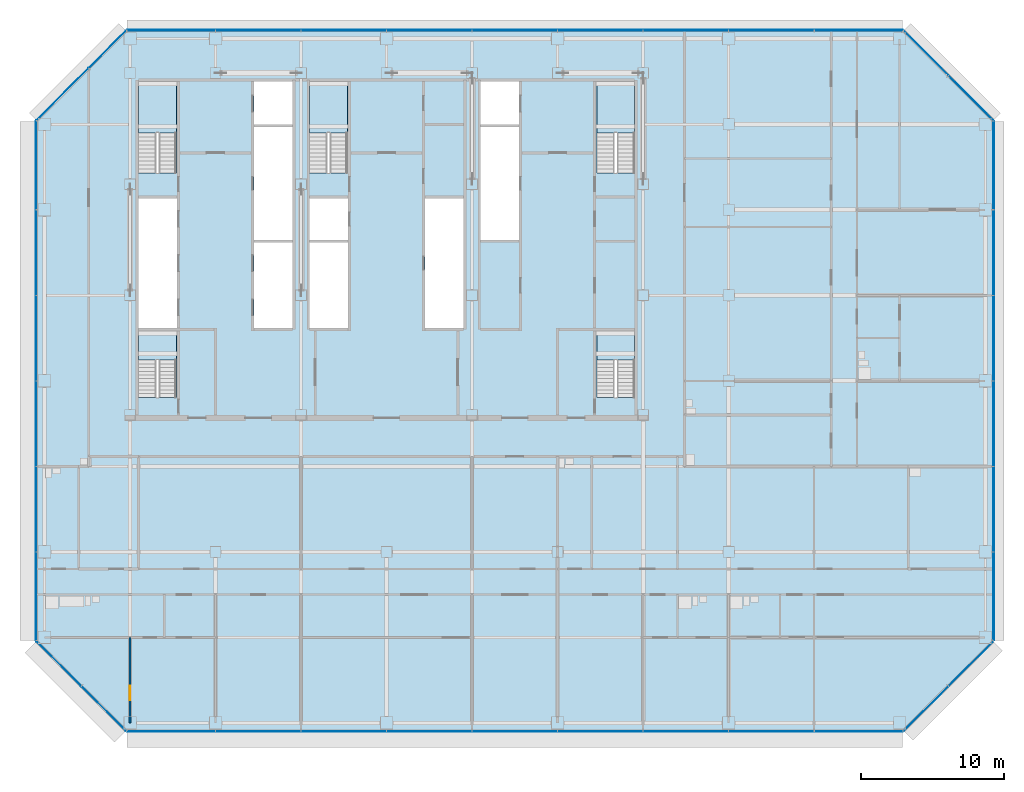
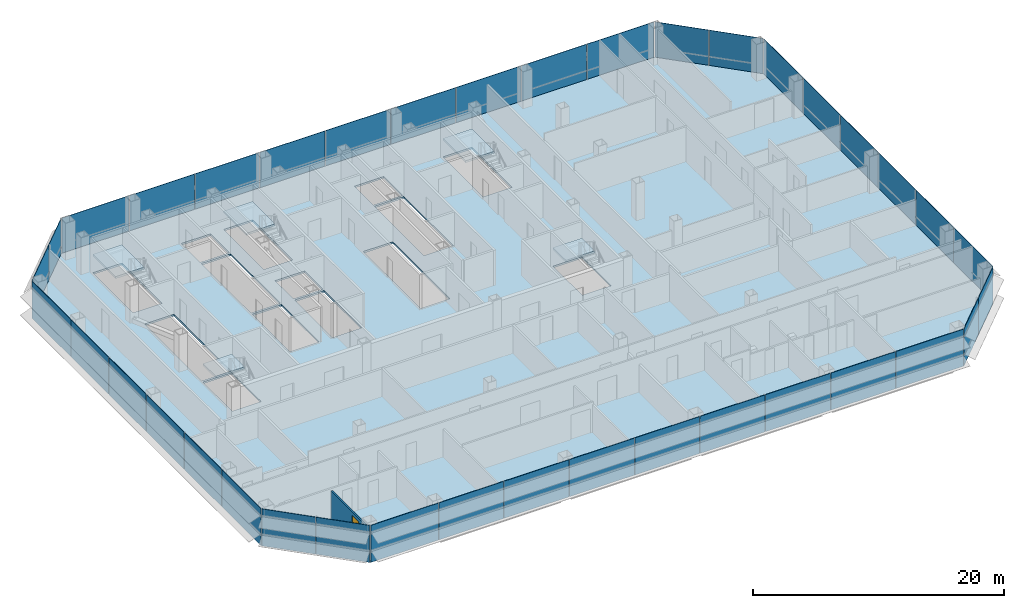
# One storey, part 19 of 27: 38 plates, 6 slabs, 1 door, 1 wall, 1 opening, 13 elements without a shape of their own.
"""IFC4 building model written with IfcOpenShell, lengths in metres."""

from ifc_helpers import new_model, si_unit, direction, frame, frame_2d, origin, origin_2d, place, context, subcontext, project, spatial, polyline, rectangle, outline, extrude, material, layer, layer_set, type_object, element, fill, aggregate, save


model = new_model("IFC4")

# Units and contexts
model_context = context("Model", 3, precision=1e-05, world=origin(), true_north=direction((0.0, 1.0)))
body_context = subcontext(model_context, "Body", "Model", "MODEL_VIEW")
ifc_project = project(units=[si_unit("LENGTHUNIT", "METRE"), si_unit("AREAUNIT", "SQUARE_METRE"), si_unit("VOLUMEUNIT", "CUBIC_METRE"), si_unit("PLANEANGLEUNIT", "RADIAN"), si_unit("MASSUNIT", "GRAM", prefix="KILO")], contexts=[model_context])

# Site, building, storey
site_placement = place(None, origin())
site = spatial("IfcSite", under=ifc_project, at=site_placement, CompositionType="ELEMENT")
building_placement = place(site_placement, origin())
building = spatial("IfcBuilding", under=site, at=building_placement, Name="Sorahane Residences", CompositionType="ELEMENT")
storey_placement = place(building_placement, frame((0.0, 0.0, 53.39990234375)))
storey = spatial("IfcBuildingStorey", under=building, at=storey_placement, Name="L09", CompositionType="ELEMENT", Elevation=53.39990234375)

# Slab
ifc_material_1 = material(Name="Concrete C35", Category="concrete")
ifc_layer_1 = layer(ifc_material_1, 0.179931640625)
ifc_layer_set_1 = layer_set([ifc_layer_1], Name="Composite floor slab 180 mm Concrete C35")
slab_type_1 = type_object("IfcSlabType", Name="Composite floor slab 180 mm Concrete C35", PredefinedType="FLOOR", material=ifc_layer_set_1)
slab_1_placement = place(storey_placement, frame((0.0, 0.0, -0.179931640625)))
element("IfcSlab", 1, at=slab_1_placement, inside=storey, type_object=slab_type_1, Name="Slab L09", PredefinedType="FLOOR", context=body_context, shape_type="SweptSolid", body=[
    extrude(outline(polyline([(5.75146484375, -0.60009765625), (-0.60009765625, 5.75146484375), (-0.60009765625, 42.24853515625), (5.75146484375, 48.60009765625), (60.24853515625, 48.60009765625), (66.60009765625, 42.24853515625), (66.60009765625, 5.75146484375), (60.24853515625, -0.60009765625), (5.75146484375, -0.60009765625)]), holes=[polyline([(18.60009765625, 27.699951171875), (21.300048828125, 27.699951171875), (21.300048828125, 33.699951171875), (18.60009765625, 33.699951171875), (18.60009765625, 27.699951171875)]), polyline([(30.60009765625, 42.0), (33.300048828125, 42.0), (33.300048828125, 45.0), (30.60009765625, 45.0), (30.60009765625, 42.0)]), polyline([(14.699951171875, 27.699951171875), (17.39990234375, 27.699951171875), (17.39990234375, 33.699951171875), (14.699951171875, 33.699951171875), (14.699951171875, 27.699951171875)]), polyline([(14.699951171875, 42.0), (17.39990234375, 42.0), (17.39990234375, 45.0), (14.699951171875, 45.0), (14.699951171875, 42.0)]), polyline([(6.60009765625, 27.699951171875), (9.300048828125, 27.699951171875), (9.300048828125, 36.800048828125), (6.60009765625, 36.800048828125), (6.60009765625, 27.699951171875)]), polyline([(9.25, 38.60009765625), (9.25, 45.0), (6.60009765625, 45.0), (6.60009765625, 38.60009765625), (9.25, 38.60009765625)]), polyline([(41.39990234375, 38.60009765625), (41.39990234375, 45.0), (38.75, 45.0), (38.75, 38.60009765625), (41.39990234375, 38.60009765625)]), polyline([(21.25, 38.60009765625), (21.25, 45.0), (18.60009765625, 45.0), (18.60009765625, 38.60009765625), (21.25, 38.60009765625)]), polyline([(9.25, 22.85009765625), (9.25, 27.5), (6.60009765625, 27.5), (6.60009765625, 22.85009765625), (9.25, 22.85009765625)]), polyline([(41.39990234375, 22.85009765625), (41.39990234375, 27.5), (38.75, 27.5), (38.75, 22.85009765625), (41.39990234375, 22.85009765625)]), polyline([(14.699951171875, 33.89990234375), (17.39990234375, 33.89990234375), (17.39990234375, 41.800048828125), (14.699951171875, 41.800048828125), (14.699951171875, 33.89990234375)]), polyline([(30.60009765625, 33.89990234375), (33.300048828125, 33.89990234375), (33.300048828125, 41.800048828125), (30.60009765625, 41.800048828125), (30.60009765625, 33.89990234375)]), polyline([(18.60009765625, 33.89990234375), (21.300048828125, 33.89990234375), (21.300048828125, 36.800048828125), (18.60009765625, 36.800048828125), (18.60009765625, 33.89990234375)]), polyline([(26.699951171875, 27.699951171875), (29.39990234375, 27.699951171875), (29.39990234375, 36.800048828125), (26.699951171875, 36.800048828125), (26.699951171875, 27.699951171875)])]), origin(), (0.0, 0.0, 1.0), 0.179931640625),
])

# Curtain wall, plates
ifc_material_2 = material(Name="Dark low-e glass and black anodised aluminium", Category="aluminium")
curtain_wall_type_1 = type_object("IfcCurtainWallType", Name="Curtain wall CW-1 Typical unitised wall", PredefinedType="NOTDEFINED", material=ifc_material_2)
curtain_wall_1_placement = place(storey_placement, origin())
curtain_wall_1 = element("IfcCurtainWall", 2, at=curtain_wall_1_placement, inside=storey, type_object=curtain_wall_type_1, Name="CW-1 curtain wall L09 S1", PredefinedType="NOTDEFINED")
ifc_material_3 = material(Name="Dark low-e glass with black ceramic frit", Category="glass")
ifc_layer_2 = layer(ifc_material_3, 0.0400390625)
ifc_layer_set_2 = layer_set([ifc_layer_2], Name="Curtain wall glass panel dark low-e with black frit spandrel band")
plate_type = type_object("IfcPlateType", Name="Curtain wall glass panel dark low-e with black frit spandrel band", PredefinedType="CURTAIN_PANEL", material=ifc_layer_set_2)
plate_1_placement = place(storey_placement, frame((8.88818359375, -0.60009765625, -0.179931640625), z_axis=(0.0, 0.0, 1.0), x_axis=(1.0, 0.0, 0.0)))
plate_1 = element("IfcPlate", 3, at=plate_1_placement, type_object=plate_type, Name="CW-1 glass panel L09 S1.1", PredefinedType="CURTAIN_PANEL", context=body_context, shape_type="SweptSolid", body=[
    extrude(rectangle(XDim=6.173583984375, YDim=0.0400390625, at=origin_2d()), origin(), (0.0, 0.0, 1.0), 3.60009765625),
])
plate_2_placement = place(storey_placement, frame((15.0, -0.60009765625, -0.179931640625), z_axis=(0.0, 0.0, 1.0), x_axis=(1.0, 0.0, 0.0)))
plate_2 = element("IfcPlate", 4, at=plate_2_placement, type_object=plate_type, Name="CW-1 glass panel L09 S1.2", PredefinedType="CURTAIN_PANEL", context=body_context, shape_type="SweptSolid", body=[
    extrude(rectangle(XDim=5.949951171875, YDim=0.0400390625, at=origin_2d()), origin(), (0.0, 0.0, 1.0), 3.60009765625),
])
plate_3_placement = place(storey_placement, frame((21.0, -0.60009765625, -0.179931640625), z_axis=(0.0, 0.0, 1.0), x_axis=(1.0, 0.0, 0.0)))
plate_3 = element("IfcPlate", 5, at=plate_3_placement, type_object=plate_type, Name="CW-1 glass panel L09 S1.3", PredefinedType="CURTAIN_PANEL", context=body_context, shape_type="SweptSolid", body=[
    extrude(rectangle(XDim=5.949951171875, YDim=0.0400390625, at=origin_2d()), origin(), (0.0, 0.0, 1.0), 3.60009765625),
])
plate_4_placement = place(storey_placement, frame((27.0, -0.60009765625, -0.179931640625), z_axis=(0.0, 0.0, 1.0), x_axis=(1.0, 0.0, 0.0)))
plate_4 = element("IfcPlate", 6, at=plate_4_placement, type_object=plate_type, Name="CW-1 glass panel L09 S1.4", PredefinedType="CURTAIN_PANEL", context=body_context, shape_type="SweptSolid", body=[
    extrude(rectangle(XDim=5.949951171875, YDim=0.0400390625, at=origin_2d()), origin(), (0.0, 0.0, 1.0), 3.60009765625),
])
plate_5_placement = place(storey_placement, frame((33.0, -0.60009765625, -0.179931640625), z_axis=(0.0, 0.0, 1.0), x_axis=(1.0, 0.0, 0.0)))
plate_5 = element("IfcPlate", 7, at=plate_5_placement, type_object=plate_type, Name="CW-1 glass panel L09 S1.5", PredefinedType="CURTAIN_PANEL", context=body_context, shape_type="SweptSolid", body=[
    extrude(rectangle(XDim=5.949951171875, YDim=0.0400390625, at=origin_2d()), origin(), (0.0, 0.0, 1.0), 3.60009765625),
])
plate_6_placement = place(storey_placement, frame((39.0, -0.60009765625, -0.179931640625), z_axis=(0.0, 0.0, 1.0), x_axis=(1.0, 0.0, 0.0)))
plate_6 = element("IfcPlate", 8, at=plate_6_placement, type_object=plate_type, Name="CW-1 glass panel L09 S1.6", PredefinedType="CURTAIN_PANEL", context=body_context, shape_type="SweptSolid", body=[
    extrude(rectangle(XDim=5.949951171875, YDim=0.0400390625, at=origin_2d()), origin(), (0.0, 0.0, 1.0), 3.60009765625),
])
plate_7_placement = place(storey_placement, frame((45.0, -0.60009765625, -0.179931640625), z_axis=(0.0, 0.0, 1.0), x_axis=(1.0, 0.0, 0.0)))
plate_7 = element("IfcPlate", 9, at=plate_7_placement, type_object=plate_type, Name="CW-1 glass panel L09 S1.7", PredefinedType="CURTAIN_PANEL", context=body_context, shape_type="SweptSolid", body=[
    extrude(rectangle(XDim=5.949951171875, YDim=0.0400390625, at=origin_2d()), origin(), (0.0, 0.0, 1.0), 3.60009765625),
])
plate_8_placement = place(storey_placement, frame((51.0, -0.60009765625, -0.179931640625), z_axis=(0.0, 0.0, 1.0), x_axis=(1.0, 0.0, 0.0)))
plate_8 = element("IfcPlate", 10, at=plate_8_placement, type_object=plate_type, Name="CW-1 glass panel L09 S1.8", PredefinedType="CURTAIN_PANEL", context=body_context, shape_type="SweptSolid", body=[
    extrude(rectangle(XDim=5.949951171875, YDim=0.0400390625, at=origin_2d()), origin(), (0.0, 0.0, 1.0), 3.60009765625),
])
plate_9_placement = place(storey_placement, frame((57.11181640625, -0.60009765625, -0.179931640625), z_axis=(0.0, 0.0, 1.0), x_axis=(1.0, 0.0, 0.0)))
plate_9 = element("IfcPlate", 11, at=plate_9_placement, type_object=plate_type, Name="CW-1 glass panel L09 S1.9", PredefinedType="CURTAIN_PANEL", context=body_context, shape_type="SweptSolid", body=[
    extrude(rectangle(XDim=6.173583984375, YDim=0.0400390625, at=origin_2d()), origin(), (0.0, 0.0, 1.0), 3.60009765625),
])
aggregate(curtain_wall_1, [plate_1, plate_2, plate_3, plate_4, plate_5, plate_6, plate_7, plate_8, plate_9])

ifc_material_4 = material(Name="Dark low-e glass and black anodised aluminium", Category="aluminium")
curtain_wall_type_2 = type_object("IfcCurtainWallType", Name="Curtain wall CW-2 Chamfer unitised wall", PredefinedType="NOTDEFINED", material=ifc_material_4)
curtain_wall_2_placement = place(storey_placement, origin())
curtain_wall_2 = element("IfcCurtainWall", 12, at=curtain_wall_2_placement, inside=storey, type_object=curtain_wall_type_2, Name="CW-2 curtain wall L09 SE1", PredefinedType="NOTDEFINED")
plate_10_placement = place(storey_placement, frame((61.84521484375, 0.996826171875, -0.179931640625), z_axis=(0.0, 0.0, 1.0), x_axis=(0.707106781187, 0.707106781187, 0.0)))
plate_10 = element("IfcPlate", 13, at=plate_10_placement, type_object=plate_type, Name="CW-2 glass panel L09 SE1.1", PredefinedType="CURTAIN_PANEL", context=body_context, shape_type="SweptSolid", body=[
    extrude(rectangle(XDim=4.416259765625, YDim=0.0400390625, at=origin_2d()), origin(), (0.0, 0.0, 1.0), 3.60009765625),
])
plate_11_placement = place(storey_placement, frame((65.003173828125, 4.15478515625, -0.179931640625), z_axis=(0.0, 0.0, 1.0), x_axis=(0.707106781187, 0.707106781187, 0.0)))
plate_11 = element("IfcPlate", 14, at=plate_11_placement, type_object=plate_type, Name="CW-2 glass panel L09 SE1.2", PredefinedType="CURTAIN_PANEL", context=body_context, shape_type="SweptSolid", body=[
    extrude(rectangle(XDim=4.416259765625, YDim=0.0400390625, at=origin_2d()), origin(), (0.0, 0.0, 1.0), 3.60009765625),
])
aggregate(curtain_wall_2, [plate_10, plate_11])

curtain_wall_3_placement = place(storey_placement, origin())
curtain_wall_3 = element("IfcCurtainWall", 15, at=curtain_wall_3_placement, inside=storey, type_object=curtain_wall_type_1, Name="CW-1 curtain wall L09 E1", PredefinedType="NOTDEFINED")
plate_12_placement = place(storey_placement, frame((66.60009765625, 8.88818359375, -0.179931640625), z_axis=(0.0, 0.0, 1.0), x_axis=(0.0, 1.0, 0.0)))
plate_12 = element("IfcPlate", 16, at=plate_12_placement, type_object=plate_type, Name="CW-1 glass panel L09 E1.1", PredefinedType="CURTAIN_PANEL", context=body_context, shape_type="SweptSolid", body=[
    extrude(rectangle(XDim=6.173583984375, YDim=0.0400390625, at=origin_2d()), origin(), (0.0, 0.0, 1.0), 3.60009765625),
])
plate_13_placement = place(storey_placement, frame((66.60009765625, 15.0, -0.179931640625), z_axis=(0.0, 0.0, 1.0), x_axis=(0.0, 1.0, 0.0)))
plate_13 = element("IfcPlate", 17, at=plate_13_placement, type_object=plate_type, Name="CW-1 glass panel L09 E1.2", PredefinedType="CURTAIN_PANEL", context=body_context, shape_type="SweptSolid", body=[
    extrude(rectangle(XDim=5.949951171875, YDim=0.0400390625, at=origin_2d()), origin(), (0.0, 0.0, 1.0), 3.60009765625),
])
plate_14_placement = place(storey_placement, frame((66.60009765625, 21.0, -0.179931640625), z_axis=(0.0, 0.0, 1.0), x_axis=(0.0, 1.0, 0.0)))
plate_14 = element("IfcPlate", 18, at=plate_14_placement, type_object=plate_type, Name="CW-1 glass panel L09 E1.3", PredefinedType="CURTAIN_PANEL", context=body_context, shape_type="SweptSolid", body=[
    extrude(rectangle(XDim=5.949951171875, YDim=0.0400390625, at=origin_2d()), origin(), (0.0, 0.0, 1.0), 3.60009765625),
])
plate_15_placement = place(storey_placement, frame((66.60009765625, 27.0, -0.179931640625), z_axis=(0.0, 0.0, 1.0), x_axis=(0.0, 1.0, 0.0)))
plate_15 = element("IfcPlate", 19, at=plate_15_placement, type_object=plate_type, Name="CW-1 glass panel L09 E1.4", PredefinedType="CURTAIN_PANEL", context=body_context, shape_type="SweptSolid", body=[
    extrude(rectangle(XDim=5.949951171875, YDim=0.0400390625, at=origin_2d()), origin(), (0.0, 0.0, 1.0), 3.60009765625),
])
plate_16_placement = place(storey_placement, frame((66.60009765625, 33.0, -0.179931640625), z_axis=(0.0, 0.0, 1.0), x_axis=(0.0, 1.0, 0.0)))
plate_16 = element("IfcPlate", 20, at=plate_16_placement, type_object=plate_type, Name="CW-1 glass panel L09 E1.5", PredefinedType="CURTAIN_PANEL", context=body_context, shape_type="SweptSolid", body=[
    extrude(rectangle(XDim=5.949951171875, YDim=0.0400390625, at=origin_2d()), origin(), (0.0, 0.0, 1.0), 3.60009765625),
])
plate_17_placement = place(storey_placement, frame((66.60009765625, 39.11181640625, -0.179931640625), z_axis=(0.0, 0.0, 1.0), x_axis=(0.0, 1.0, 0.0)))
plate_17 = element("IfcPlate", 21, at=plate_17_placement, type_object=plate_type, Name="CW-1 glass panel L09 E1.6", PredefinedType="CURTAIN_PANEL", context=body_context, shape_type="SweptSolid", body=[
    extrude(rectangle(XDim=6.173583984375, YDim=0.0400390625, at=origin_2d()), origin(), (0.0, 0.0, 1.0), 3.60009765625),
])
aggregate(curtain_wall_3, [plate_12, plate_13, plate_14, plate_15, plate_16, plate_17])

curtain_wall_4_placement = place(storey_placement, origin())
curtain_wall_4 = element("IfcCurtainWall", 22, at=curtain_wall_4_placement, inside=storey, type_object=curtain_wall_type_2, Name="CW-2 curtain wall L09 NE1", PredefinedType="NOTDEFINED")
plate_18_placement = place(storey_placement, frame((65.003173828125, 43.84521484375, -0.179931640625), z_axis=(0.0, 0.0, 1.0), x_axis=(-0.707106781187, 0.707106781187, 0.0)))
plate_18 = element("IfcPlate", 23, at=plate_18_placement, type_object=plate_type, Name="CW-2 glass panel L09 NE1.1", PredefinedType="CURTAIN_PANEL", context=body_context, shape_type="SweptSolid", body=[
    extrude(rectangle(XDim=4.416259765625, YDim=0.0400390625, at=origin_2d()), origin(), (0.0, 0.0, 1.0), 3.60009765625),
])
plate_19_placement = place(storey_placement, frame((61.84521484375, 47.003173828125, -0.179931640625), z_axis=(0.0, 0.0, 1.0), x_axis=(-0.707106781187, 0.707106781187, 0.0)))
plate_19 = element("IfcPlate", 24, at=plate_19_placement, type_object=plate_type, Name="CW-2 glass panel L09 NE1.2", PredefinedType="CURTAIN_PANEL", context=body_context, shape_type="SweptSolid", body=[
    extrude(rectangle(XDim=4.416259765625, YDim=0.0400390625, at=origin_2d()), origin(), (0.0, 0.0, 1.0), 3.60009765625),
])
aggregate(curtain_wall_4, [plate_18, plate_19])

curtain_wall_5_placement = place(storey_placement, origin())
curtain_wall_5 = element("IfcCurtainWall", 25, at=curtain_wall_5_placement, inside=storey, type_object=curtain_wall_type_1, Name="CW-1 curtain wall L09 N1", PredefinedType="NOTDEFINED")
plate_20_placement = place(storey_placement, frame((57.11181640625, 48.60009765625, -0.179931640625), z_axis=(0.0, 0.0, 1.0), x_axis=(-1.0, 0.0, 0.0)))
plate_20 = element("IfcPlate", 26, at=plate_20_placement, type_object=plate_type, Name="CW-1 glass panel L09 N1.1", PredefinedType="CURTAIN_PANEL", context=body_context, shape_type="SweptSolid", body=[
    extrude(rectangle(XDim=6.173583984375, YDim=0.0400390625, at=origin_2d()), origin(), (0.0, 0.0, 1.0), 3.60009765625),
])
plate_21_placement = place(storey_placement, frame((51.0, 48.60009765625, -0.179931640625), z_axis=(0.0, 0.0, 1.0), x_axis=(-1.0, 0.0, 0.0)))
plate_21 = element("IfcPlate", 27, at=plate_21_placement, type_object=plate_type, Name="CW-1 glass panel L09 N1.2", PredefinedType="CURTAIN_PANEL", context=body_context, shape_type="SweptSolid", body=[
    extrude(rectangle(XDim=5.949951171875, YDim=0.0400390625, at=origin_2d()), origin(), (0.0, 0.0, 1.0), 3.60009765625),
])
plate_22_placement = place(storey_placement, frame((45.0, 48.60009765625, -0.179931640625), z_axis=(0.0, 0.0, 1.0), x_axis=(-1.0, 0.0, 0.0)))
plate_22 = element("IfcPlate", 28, at=plate_22_placement, type_object=plate_type, Name="CW-1 glass panel L09 N1.3", PredefinedType="CURTAIN_PANEL", context=body_context, shape_type="SweptSolid", body=[
    extrude(rectangle(XDim=5.949951171875, YDim=0.0400390625, at=origin_2d()), origin(), (0.0, 0.0, 1.0), 3.60009765625),
])
plate_23_placement = place(storey_placement, frame((39.0, 48.60009765625, -0.179931640625), z_axis=(0.0, 0.0, 1.0), x_axis=(-1.0, 0.0, 0.0)))
plate_23 = element("IfcPlate", 29, at=plate_23_placement, type_object=plate_type, Name="CW-1 glass panel L09 N1.4", PredefinedType="CURTAIN_PANEL", context=body_context, shape_type="SweptSolid", body=[
    extrude(rectangle(XDim=5.949951171875, YDim=0.0400390625, at=origin_2d()), origin(), (0.0, 0.0, 1.0), 3.60009765625),
])
plate_24_placement = place(storey_placement, frame((33.0, 48.60009765625, -0.179931640625), z_axis=(0.0, 0.0, 1.0), x_axis=(-1.0, 0.0, 0.0)))
plate_24 = element("IfcPlate", 30, at=plate_24_placement, type_object=plate_type, Name="CW-1 glass panel L09 N1.5", PredefinedType="CURTAIN_PANEL", context=body_context, shape_type="SweptSolid", body=[
    extrude(rectangle(XDim=5.949951171875, YDim=0.0400390625, at=origin_2d()), origin(), (0.0, 0.0, 1.0), 3.60009765625),
])
plate_25_placement = place(storey_placement, frame((27.0, 48.60009765625, -0.179931640625), z_axis=(0.0, 0.0, 1.0), x_axis=(-1.0, 0.0, 0.0)))
plate_25 = element("IfcPlate", 31, at=plate_25_placement, type_object=plate_type, Name="CW-1 glass panel L09 N1.6", PredefinedType="CURTAIN_PANEL", context=body_context, shape_type="SweptSolid", body=[
    extrude(rectangle(XDim=5.949951171875, YDim=0.0400390625, at=origin_2d()), origin(), (0.0, 0.0, 1.0), 3.60009765625),
])
plate_26_placement = place(storey_placement, frame((21.0, 48.60009765625, -0.179931640625), z_axis=(0.0, 0.0, 1.0), x_axis=(-1.0, 0.0, 0.0)))
plate_26 = element("IfcPlate", 32, at=plate_26_placement, type_object=plate_type, Name="CW-1 glass panel L09 N1.7", PredefinedType="CURTAIN_PANEL", context=body_context, shape_type="SweptSolid", body=[
    extrude(rectangle(XDim=5.949951171875, YDim=0.0400390625, at=origin_2d()), origin(), (0.0, 0.0, 1.0), 3.60009765625),
])
plate_27_placement = place(storey_placement, frame((15.0, 48.60009765625, -0.179931640625), z_axis=(0.0, 0.0, 1.0), x_axis=(-1.0, 0.0, 0.0)))
plate_27 = element("IfcPlate", 33, at=plate_27_placement, type_object=plate_type, Name="CW-1 glass panel L09 N1.8", PredefinedType="CURTAIN_PANEL", context=body_context, shape_type="SweptSolid", body=[
    extrude(rectangle(XDim=5.949951171875, YDim=0.0400390625, at=origin_2d()), origin(), (0.0, 0.0, 1.0), 3.60009765625),
])
plate_28_placement = place(storey_placement, frame((8.88818359375, 48.60009765625, -0.179931640625), z_axis=(0.0, 0.0, 1.0), x_axis=(-1.0, 0.0, 0.0)))
plate_28 = element("IfcPlate", 34, at=plate_28_placement, type_object=plate_type, Name="CW-1 glass panel L09 N1.9", PredefinedType="CURTAIN_PANEL", context=body_context, shape_type="SweptSolid", body=[
    extrude(rectangle(XDim=6.173583984375, YDim=0.0400390625, at=origin_2d()), origin(), (0.0, 0.0, 1.0), 3.60009765625),
])
aggregate(curtain_wall_5, [plate_20, plate_21, plate_22, plate_23, plate_24, plate_25, plate_26, plate_27, plate_28])

curtain_wall_6_placement = place(storey_placement, origin())
curtain_wall_6 = element("IfcCurtainWall", 35, at=curtain_wall_6_placement, inside=storey, type_object=curtain_wall_type_2, Name="CW-2 curtain wall L09 NW1", PredefinedType="NOTDEFINED")
plate_29_placement = place(storey_placement, frame((4.4169921875, 47.265625, -0.179931640625), z_axis=(0.0, 0.0, 1.0), x_axis=(-0.707106781187, -0.707106781187, 0.0)))
plate_29 = element("IfcPlate", 36, at=plate_29_placement, type_object=plate_type, Name="CW-2 glass panel L09 NW1.1", PredefinedType="CURTAIN_PANEL", context=body_context, shape_type="SweptSolid", body=[
    extrude(rectangle(XDim=3.67431640625, YDim=0.0400390625, at=origin_2d()), origin(), (0.0, 0.0, 1.0), 3.60009765625),
])
plate_30_placement = place(storey_placement, frame((1.259033203125, 44.107421875, -0.179931640625), z_axis=(0.0, 0.0, 1.0), x_axis=(-0.707106781187, -0.707106781187, 0.0)))
plate_30 = element("IfcPlate", 37, at=plate_30_placement, type_object=plate_type, Name="CW-2 glass panel L09 NW1.2", PredefinedType="CURTAIN_PANEL", context=body_context, shape_type="SweptSolid", body=[
    extrude(rectangle(XDim=5.157958984375, YDim=0.0400390625, at=origin_2d()), origin(), (0.0, 0.0, 1.0), 3.60009765625),
])
aggregate(curtain_wall_6, [plate_29, plate_30])

curtain_wall_7_placement = place(storey_placement, origin())
curtain_wall_7 = element("IfcCurtainWall", 38, at=curtain_wall_7_placement, inside=storey, type_object=curtain_wall_type_1, Name="CW-1 curtain wall L09 W1", PredefinedType="NOTDEFINED")
plate_31_placement = place(storey_placement, frame((-0.60009765625, 39.11181640625, -0.179931640625), z_axis=(0.0, 0.0, 1.0), x_axis=(0.0, -1.0, 0.0)))
plate_31 = element("IfcPlate", 39, at=plate_31_placement, type_object=plate_type, Name="CW-1 glass panel L09 W1.1", PredefinedType="CURTAIN_PANEL", context=body_context, shape_type="SweptSolid", body=[
    extrude(rectangle(XDim=6.173583984375, YDim=0.0400390625, at=origin_2d()), origin(), (0.0, 0.0, 1.0), 3.60009765625),
])
plate_32_placement = place(storey_placement, frame((-0.60009765625, 33.0, -0.179931640625), z_axis=(0.0, 0.0, 1.0), x_axis=(0.0, -1.0, 0.0)))
plate_32 = element("IfcPlate", 40, at=plate_32_placement, type_object=plate_type, Name="CW-1 glass panel L09 W1.2", PredefinedType="CURTAIN_PANEL", context=body_context, shape_type="SweptSolid", body=[
    extrude(rectangle(XDim=5.949951171875, YDim=0.0400390625, at=origin_2d()), origin(), (0.0, 0.0, 1.0), 3.60009765625),
])
plate_33_placement = place(storey_placement, frame((-0.60009765625, 27.0, -0.179931640625), z_axis=(0.0, 0.0, 1.0), x_axis=(0.0, -1.0, 0.0)))
plate_33 = element("IfcPlate", 41, at=plate_33_placement, type_object=plate_type, Name="CW-1 glass panel L09 W1.3", PredefinedType="CURTAIN_PANEL", context=body_context, shape_type="SweptSolid", body=[
    extrude(rectangle(XDim=5.949951171875, YDim=0.0400390625, at=origin_2d()), origin(), (0.0, 0.0, 1.0), 3.60009765625),
])
plate_34_placement = place(storey_placement, frame((-0.60009765625, 21.0, -0.179931640625), z_axis=(0.0, 0.0, 1.0), x_axis=(0.0, -1.0, 0.0)))
plate_34 = element("IfcPlate", 42, at=plate_34_placement, type_object=plate_type, Name="CW-1 glass panel L09 W1.4", PredefinedType="CURTAIN_PANEL", context=body_context, shape_type="SweptSolid", body=[
    extrude(rectangle(XDim=5.949951171875, YDim=0.0400390625, at=origin_2d()), origin(), (0.0, 0.0, 1.0), 3.60009765625),
])
plate_35_placement = place(storey_placement, frame((-0.60009765625, 15.0, -0.179931640625), z_axis=(0.0, 0.0, 1.0), x_axis=(0.0, -1.0, 0.0)))
plate_35 = element("IfcPlate", 43, at=plate_35_placement, type_object=plate_type, Name="CW-1 glass panel L09 W1.5", PredefinedType="CURTAIN_PANEL", context=body_context, shape_type="SweptSolid", body=[
    extrude(rectangle(XDim=5.949951171875, YDim=0.0400390625, at=origin_2d()), origin(), (0.0, 0.0, 1.0), 3.60009765625),
])
plate_36_placement = place(storey_placement, frame((-0.60009765625, 8.88818359375, -0.179931640625), z_axis=(0.0, 0.0, 1.0), x_axis=(0.0, -1.0, 0.0)))
plate_36 = element("IfcPlate", 44, at=plate_36_placement, type_object=plate_type, Name="CW-1 glass panel L09 W1.6", PredefinedType="CURTAIN_PANEL", context=body_context, shape_type="SweptSolid", body=[
    extrude(rectangle(XDim=6.173583984375, YDim=0.0400390625, at=origin_2d()), origin(), (0.0, 0.0, 1.0), 3.60009765625),
])
aggregate(curtain_wall_7, [plate_31, plate_32, plate_33, plate_34, plate_35, plate_36])

curtain_wall_8_placement = place(storey_placement, origin())
curtain_wall_8 = element("IfcCurtainWall", 45, at=curtain_wall_8_placement, inside=storey, type_object=curtain_wall_type_2, Name="CW-2 curtain wall L09 SW1", PredefinedType="NOTDEFINED")
plate_37_placement = place(storey_placement, frame((0.996826171875, 4.15478515625, -0.179931640625), z_axis=(0.0, 0.0, 1.0), x_axis=(0.707106781187, -0.707106781187, 0.0)))
plate_37 = element("IfcPlate", 46, at=plate_37_placement, type_object=plate_type, Name="CW-2 glass panel L09 SW1.1", PredefinedType="CURTAIN_PANEL", context=body_context, shape_type="SweptSolid", body=[
    extrude(rectangle(XDim=4.416259765625, YDim=0.0400390625, at=origin_2d()), origin(), (0.0, 0.0, 1.0), 3.60009765625),
])
plate_38_placement = place(storey_placement, frame((4.15478515625, 0.996826171875, -0.179931640625), z_axis=(0.0, 0.0, 1.0), x_axis=(0.707106781187, -0.707106781187, 0.0)))
plate_38 = element("IfcPlate", 47, at=plate_38_placement, type_object=plate_type, Name="CW-2 glass panel L09 SW1.2", PredefinedType="CURTAIN_PANEL", context=body_context, shape_type="SweptSolid", body=[
    extrude(rectangle(XDim=4.416259765625, YDim=0.0400390625, at=origin_2d()), origin(), (0.0, 0.0, 1.0), 3.60009765625),
])
aggregate(curtain_wall_8, [plate_37, plate_38])

# Stair, slab
ifc_material_5 = material(Name="Concrete C40", Category="concrete")
stair_type = type_object("IfcStairType", Name="Dog-leg stair 1250 Concrete C40", PredefinedType="HALF_TURN_STAIR", material=ifc_material_5)
stair_1_placement = place(storey_placement, origin())
stair_1 = element("IfcStair", 48, at=stair_1_placement, inside=storey, type_object=stair_type, Name="L09 Stair S1", PredefinedType="HALF_TURN_STAIR")
ifc_material_6 = material(Name="Concrete C40", Category="concrete")
ifc_layer_3 = layer(ifc_material_6, 0.199951171875)
ifc_layer_set_3 = layer_set([ifc_layer_3], Name="Stair landing 200 Concrete C40")
slab_type_2 = type_object("IfcSlabType", Name="Stair landing 200 Concrete C40", PredefinedType="LANDING", material=ifc_layer_set_3)
slab_2_placement = place(storey_placement, frame((0.0, 0.0, 1.60009765625)))
slab_2 = element("IfcSlab", 49, at=slab_2_placement, type_object=slab_type_2, Name="S1 landing 1", PredefinedType="LANDING", context=body_context, shape_type="SweptSolid", body=[
    extrude(outline(polyline([(9.25, 41.39990234375), (9.25, 45.0), (6.60009765625, 45.0), (6.60009765625, 41.39990234375), (9.25, 41.39990234375)])), origin(), (0.0, 0.0, 1.0), 0.199951171875),
])
aggregate(stair_1, [slab_2])

stair_2_placement = place(storey_placement, origin())
stair_2 = element("IfcStair", 50, at=stair_2_placement, inside=storey, type_object=stair_type, Name="L09 Stair S2", PredefinedType="HALF_TURN_STAIR")
slab_3_placement = place(storey_placement, frame((0.0, 0.0, 1.60009765625)))
slab_3 = element("IfcSlab", 51, at=slab_3_placement, type_object=slab_type_2, Name="S2 landing 1", PredefinedType="LANDING", context=body_context, shape_type="SweptSolid", body=[
    extrude(outline(polyline([(41.39990234375, 41.39990234375), (41.39990234375, 45.0), (38.75, 45.0), (38.75, 41.39990234375), (41.39990234375, 41.39990234375)])), origin(), (0.0, 0.0, 1.0), 0.199951171875),
])
aggregate(stair_2, [slab_3])

stair_3_placement = place(storey_placement, origin())
stair_3 = element("IfcStair", 52, at=stair_3_placement, inside=storey, type_object=stair_type, Name="L09 Stair S3", PredefinedType="HALF_TURN_STAIR")
slab_4_placement = place(storey_placement, frame((0.0, 0.0, 1.60009765625)))
slab_4 = element("IfcSlab", 53, at=slab_4_placement, type_object=slab_type_2, Name="S3 landing 1", PredefinedType="LANDING", context=body_context, shape_type="SweptSolid", body=[
    extrude(outline(polyline([(21.25, 41.39990234375), (21.25, 45.0), (18.60009765625, 45.0), (18.60009765625, 41.39990234375), (21.25, 41.39990234375)])), origin(), (0.0, 0.0, 1.0), 0.199951171875),
])
aggregate(stair_3, [slab_4])

stair_4_placement = place(storey_placement, origin())
stair_4 = element("IfcStair", 54, at=stair_4_placement, inside=storey, type_object=stair_type, Name="L09 Stair S4", PredefinedType="HALF_TURN_STAIR")
slab_5_placement = place(storey_placement, frame((0.0, 0.0, 1.60009765625)))
slab_5 = element("IfcSlab", 55, at=slab_5_placement, type_object=slab_type_2, Name="S4 landing 1", PredefinedType="LANDING", context=body_context, shape_type="SweptSolid", body=[
    extrude(outline(polyline([(9.25, 25.449951171875), (9.25, 27.5), (6.60009765625, 27.5), (6.60009765625, 25.449951171875), (9.25, 25.449951171875)])), origin(), (0.0, 0.0, 1.0), 0.199951171875),
])
aggregate(stair_4, [slab_5])

stair_5_placement = place(storey_placement, origin())
stair_5 = element("IfcStair", 56, at=stair_5_placement, inside=storey, type_object=stair_type, Name="L09 Stair S5", PredefinedType="HALF_TURN_STAIR")
slab_6_placement = place(storey_placement, frame((0.0, 0.0, 1.60009765625)))
slab_6 = element("IfcSlab", 57, at=slab_6_placement, type_object=slab_type_2, Name="S5 landing 1", PredefinedType="LANDING", context=body_context, shape_type="SweptSolid", body=[
    extrude(outline(polyline([(41.39990234375, 25.449951171875), (41.39990234375, 27.5), (38.75, 27.5), (38.75, 25.449951171875), (41.39990234375, 25.449951171875)])), origin(), (0.0, 0.0, 1.0), 0.199951171875),
])
aggregate(stair_5, [slab_6])

# Wall, opening, door
ifc_material_7 = material(Name="Gypsum board partition on steel studs", Category="steel")
ifc_layer_4 = layer(ifc_material_7, 0.14990234375)
ifc_layer_set_4 = layer_set([ifc_layer_4], Name="Partition 150 EI 90")
wall_type = type_object("IfcWallType", Name="Partition 150 EI 90", PredefinedType="PARTITIONING", material=ifc_layer_set_4)
wall_placement = place(storey_placement, frame((6.0, 0.0, 0.0), z_axis=(0.0, 0.0, 1.0), x_axis=(0.0, 1.0, 0.0)))
wall = element("IfcWall", 58, at=wall_placement, inside=storey, type_object=wall_type, Name="L09 partition", PredefinedType="PARTITIONING", context=body_context, shape_type="SweptSolid", body=[
    extrude(rectangle(XDim=6.0, YDim=0.14990234375, at=frame_2d((3.0, 0.0))), origin(), (0.0, 0.0, 1.0), 2.72021484375),
])
opening_placement = place(wall_placement, frame((1.60009765625, 0.0, 0.0)))
opening = element("IfcOpeningElement", 59, at=opening_placement, cuts=wall, Name="Opening L09-11", PredefinedType="OPENING", context=body_context, shape_type="SweptSolid", body=[
    extrude(rectangle(XDim=1.0, YDim=2.39990234375, at=frame_2d((0.5, 1.199951171875))), frame((0.0, 0.0849609375, 0.0), z_axis=(0.0, -1.0, 0.0), x_axis=(1.0, 0.0, 0.0)), (0.0, 0.0, 1.0), 0.169921875),
])
ifc_material_8 = material(Name="Timber veneered fire door", Category="wood")
door_type = type_object("IfcDoorType", Name="Room door 1000x2400 FD30", OperationType="NOTDEFINED", PredefinedType="DOOR", material=ifc_material_8)
door_placement = place(opening_placement, origin())
door = element("IfcDoor", 60, at=door_placement, inside=storey, type_object=door_type, Name="Room door L09-11", OperationType="SINGLE_SWING_LEFT", OverallHeight=2.39990234375, OverallWidth=1.0, PredefinedType="DOOR", context=body_context, shape_type="SweptSolid", body=[
    extrude(rectangle(XDim=1.0, YDim=2.39990234375, at=frame_2d((0.5, 1.199951171875))), frame((0.0, 0.02490234375, 0.0), z_axis=(0.0, -1.0, 0.0), x_axis=(1.0, 0.0, 0.0)), (0.0, 0.0, 1.0), 0.050048828125),
])
fill(opening, door)

save(model, "model.ifc")
